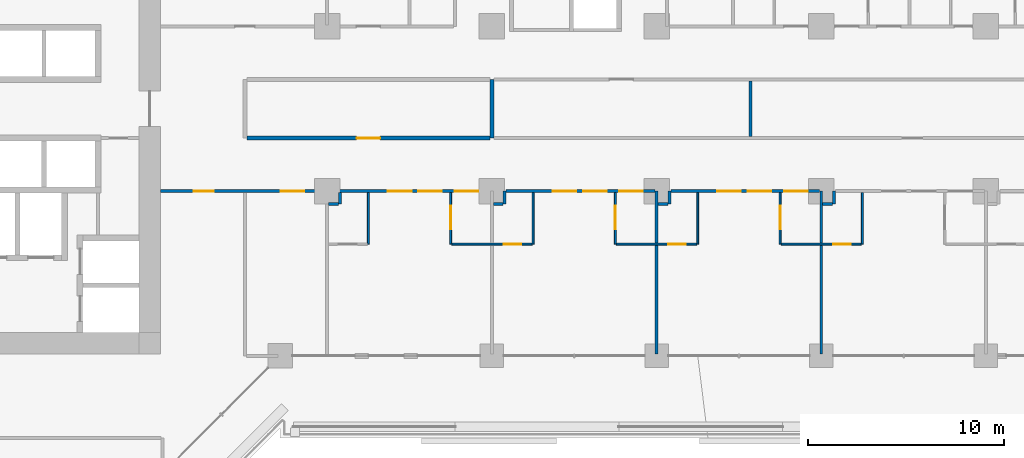
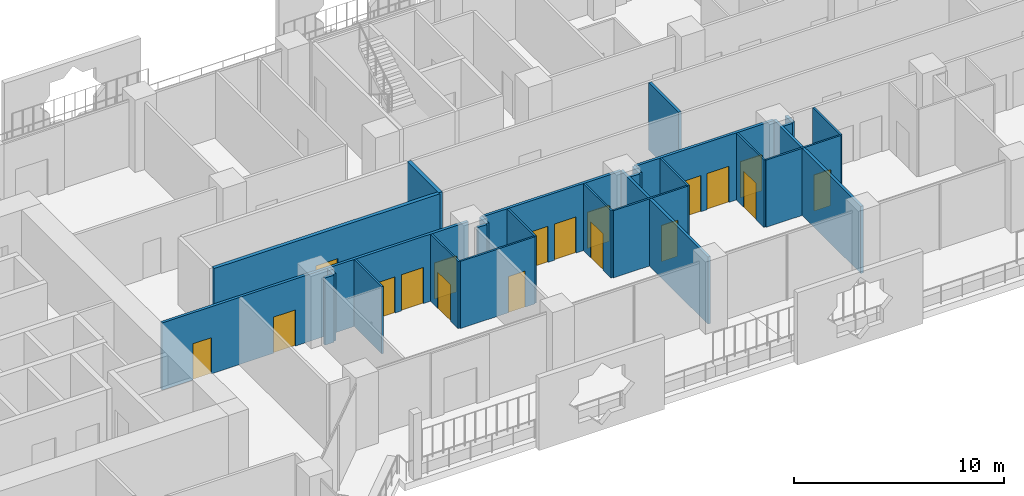
# One storey, part 17 of 29: 26 walls, 18 doors, 18 openings.
"""IFC4 building model written with IfcOpenShell, lengths in metres."""

from ifc_helpers import new_model, si_unit, direction, frame, frame_2d, origin, place, context, subcontext, project, spatial, rectangle, extrude, material, layer, layer_set, type_object, element, fill, save


model = new_model("IFC4")

# Units and contexts
model_context = context("Model", 3, precision=1e-05, world=origin(), true_north=direction((0.0, 1.0)))
body_context = subcontext(model_context, "Body", "Model", "MODEL_VIEW")
ifc_project = project(units=[si_unit("LENGTHUNIT", "METRE"), si_unit("AREAUNIT", "SQUARE_METRE"), si_unit("VOLUMEUNIT", "CUBIC_METRE"), si_unit("PLANEANGLEUNIT", "RADIAN"), si_unit("MASSUNIT", "GRAM", prefix="KILO")], contexts=[model_context])

# Site, building, storey
site_placement = place(None, origin())
site = spatial("IfcSite", under=ifc_project, at=site_placement, CompositionType="ELEMENT")
building_placement = place(site_placement, origin())
building = spatial("IfcBuilding", under=site, at=building_placement, Name="Kawkab Arch Medical Tower", CompositionType="ELEMENT")
storey_placement = place(building_placement, frame((0.0, 0.0, 60.199951171875)))
storey = spatial("IfcBuildingStorey", under=building, at=storey_placement, Name="L13", CompositionType="ELEMENT", Elevation=60.199951171875)

# Wall, opening, door
ifc_material_1 = material(Name="Gypsum board partition on steel studs", Category="steel")
ifc_layer_1 = layer(ifc_material_1, 0.10009765625)
ifc_layer_set_1 = layer_set([ifc_layer_1], Name="Gypsum board partition on steel studs")
wall_type_1 = type_object("IfcWallType", Name="Partition 100", PredefinedType="PARTITIONING", material=ifc_layer_set_1)
wall_1_placement = place(storey_placement, frame((39.949951171875, -19.5, 0.0), z_axis=(0.0, 0.0, 1.0), x_axis=(1.0, 0.0, 0.0)))
wall_1 = element("IfcWall", 1, at=wall_1_placement, inside=storey, type_object=wall_type_1, Name="Partition 100 w013", PredefinedType="PARTITIONING", context=body_context, shape_type="SweptSolid", body=[
    extrude(rectangle(XDim=4.10009765625, YDim=0.10009765625, at=frame_2d((2.050048828125, 0.0))), origin(), (0.0, 0.0, 1.0), 3.900146484375),
])
opening_1_placement = place(wall_1_placement, frame((2.64990234375, 0.0, 0.0)))
opening_1 = element("IfcOpeningElement", 2, at=opening_1_placement, cuts=wall_1, Name="Opening W13A-005", PredefinedType="OPENING", context=body_context, shape_type="SweptSolid", body=[
    extrude(rectangle(XDim=0.89990234375, YDim=2.10009765625, at=frame_2d((0.449951171875, 1.050048828125))), frame((0.0, 0.06005859375, 0.0), z_axis=(0.0, -1.0, 0.0), x_axis=(1.0, 0.0, 0.0)), (0.0, 0.0, 1.0), 0.1201171875),
])
ifc_material_2 = material(Name="Timber door leaf", Category="wood")
door_type_1 = type_object("IfcDoorType", Name="Single door 900x2100", OperationType="NOTDEFINED", PredefinedType="DOOR", material=ifc_material_2)
door_1_placement = place(opening_1_placement, origin())
door_1 = element("IfcDoor", 3, at=door_1_placement, inside=storey, type_object=door_type_1, Name="Door W13A-005", OperationType="SINGLE_SWING_LEFT", OverallHeight=2.10009765625, OverallWidth=0.89990234375, PredefinedType="DOOR", context=body_context, shape_type="SweptSolid", body=[
    extrude(rectangle(XDim=0.89990234375, YDim=2.10009765625, at=frame_2d((0.449951171875, 1.050048828125))), frame((0.0, 0.02490234375, 0.0), z_axis=(0.0, -1.0, 0.0), x_axis=(1.0, 0.0, 0.0)), (0.0, 0.0, 1.0), 0.050048828125),
])
fill(opening_1, door_1)

wall_2_placement = place(storey_placement, frame((48.35009765625, -19.5, 0.0), z_axis=(0.0, 0.0, 1.0), x_axis=(1.0, 0.0, 0.0)))
wall_2 = element("IfcWall", 4, at=wall_2_placement, inside=storey, type_object=wall_type_1, Name="Partition 100 w014", PredefinedType="PARTITIONING", context=body_context, shape_type="SweptSolid", body=[
    extrude(rectangle(XDim=4.099853515625, YDim=0.10009765625, at=frame_2d((2.0498046875, 0.0))), origin(), (0.0, 0.0, 1.0), 3.900146484375),
])
opening_2_placement = place(wall_2_placement, frame((2.64990234375, 0.0, 0.0)))
opening_2 = element("IfcOpeningElement", 5, at=opening_2_placement, cuts=wall_2, Name="Opening W13A-006", PredefinedType="OPENING", context=body_context, shape_type="SweptSolid", body=[
    extrude(rectangle(XDim=0.89990234375, YDim=2.10009765625, at=frame_2d((0.449951171875, 1.050048828125))), frame((0.0, 0.06005859375, 0.0), z_axis=(0.0, -1.0, 0.0), x_axis=(1.0, 0.0, 0.0)), (0.0, 0.0, 1.0), 0.1201171875),
])
door_2_placement = place(opening_2_placement, origin())
door_2 = element("IfcDoor", 6, at=door_2_placement, inside=storey, type_object=door_type_1, Name="Door W13A-006", OperationType="SINGLE_SWING_LEFT", OverallHeight=2.10009765625, OverallWidth=0.89990234375, PredefinedType="DOOR", context=body_context, shape_type="SweptSolid", body=[
    extrude(rectangle(XDim=0.89990234375, YDim=2.10009765625, at=frame_2d((0.449951171875, 1.050048828125))), frame((0.0, 0.02490234375, 0.0), z_axis=(0.0, -1.0, 0.0), x_axis=(1.0, 0.0, 0.0)), (0.0, 0.0, 1.0), 0.050048828125),
])
fill(opening_2, door_2)

wall_3_placement = place(storey_placement, frame((56.75, -19.5, 0.0), z_axis=(0.0, 0.0, 1.0), x_axis=(1.0, 0.0, 0.0)))
wall_3 = element("IfcWall", 7, at=wall_3_placement, inside=storey, type_object=wall_type_1, Name="Partition 100 w015", PredefinedType="PARTITIONING", context=body_context, shape_type="SweptSolid", body=[
    extrude(rectangle(XDim=4.10009765625, YDim=0.10009765625, at=frame_2d((2.050048828125, 0.0))), origin(), (0.0, 0.0, 1.0), 3.900146484375),
])
opening_3_placement = place(wall_3_placement, frame((2.64990234375, 0.0, 0.0)))
opening_3 = element("IfcOpeningElement", 8, at=opening_3_placement, cuts=wall_3, Name="Opening W13A-007", PredefinedType="OPENING", context=body_context, shape_type="SweptSolid", body=[
    extrude(rectangle(XDim=0.89990234375, YDim=2.10009765625, at=frame_2d((0.449951171875, 1.050048828125))), frame((0.0, 0.06005859375, 0.0), z_axis=(0.0, -1.0, 0.0), x_axis=(1.0, 0.0, 0.0)), (0.0, 0.0, 1.0), 0.1201171875),
])
door_3_placement = place(opening_3_placement, origin())
door_3 = element("IfcDoor", 9, at=door_3_placement, inside=storey, type_object=door_type_1, Name="Door W13A-007", OperationType="SINGLE_SWING_LEFT", OverallHeight=2.10009765625, OverallWidth=0.89990234375, PredefinedType="DOOR", context=body_context, shape_type="SweptSolid", body=[
    extrude(rectangle(XDim=0.89990234375, YDim=2.10009765625, at=frame_2d((0.449951171875, 1.050048828125))), frame((0.0, 0.02490234375, 0.0), z_axis=(0.0, -1.0, 0.0), x_axis=(1.0, 0.0, 0.0)), (0.0, 0.0, 1.0), 0.050048828125),
])
fill(opening_3, door_3)

# Wall
wall_4_placement = place(storey_placement, frame((35.699951171875, -19.5, 0.0), z_axis=(0.0, 0.0, 1.0), x_axis=(0.0, 1.0, 0.0)))
element("IfcWall", 10, at=wall_4_placement, inside=storey, type_object=wall_type_1, Name="Partition 100 w029", PredefinedType="PARTITIONING", context=body_context, shape_type="SweptSolid", body=[
    extrude(rectangle(XDim=2.625, YDim=0.10009765625, at=frame_2d((1.3125, 0.0))), origin(), (0.0, 0.0, 1.0), 3.900146484375),
])

# Wall, opening, door
wall_5_placement = place(storey_placement, frame((39.89990234375, -19.5, 0.0), z_axis=(0.0, 0.0, 1.0), x_axis=(0.0, 1.0, 0.0)))
wall_5 = element("IfcWall", 11, at=wall_5_placement, inside=storey, type_object=wall_type_1, Name="Partition 100 w030", PredefinedType="PARTITIONING", context=body_context, shape_type="SweptSolid", body=[
    extrude(rectangle(XDim=2.625, YDim=0.10009765625, at=frame_2d((1.3125, 0.0))), origin(), (0.0, 0.0, 1.0), 3.900146484375),
])
opening_4_placement = place(wall_5_placement, frame((0.75, 0.0, 0.0)))
opening_4 = element("IfcOpeningElement", 12, at=opening_4_placement, cuts=wall_5, Name="Opening W13A-051", PredefinedType="OPENING", context=body_context, shape_type="SweptSolid", body=[
    extrude(rectangle(XDim=1.199951171875, YDim=2.10009765625, at=frame_2d((0.60009765625, 1.050048828125))), frame((0.0, 0.06005859375, 0.0), z_axis=(0.0, -1.0, 0.0), x_axis=(1.0, 0.0, 0.0)), (0.0, 0.0, 1.0), 0.1201171875),
])
ifc_material_3 = material(Name="Timber door leaf", Category="wood")
door_type_2 = type_object("IfcDoorType", Name="Single door 1200x2100", OperationType="NOTDEFINED", PredefinedType="DOOR", material=ifc_material_3)
door_4_placement = place(opening_4_placement, origin())
door_4 = element("IfcDoor", 13, at=door_4_placement, inside=storey, type_object=door_type_2, Name="Door W13A-051", OperationType="SINGLE_SWING_RIGHT", OverallHeight=2.10009765625, OverallWidth=1.199951171875, PredefinedType="DOOR", context=body_context, shape_type="SweptSolid", body=[
    extrude(rectangle(XDim=1.199951171875, YDim=2.10009765625, at=frame_2d((0.60009765625, 1.050048828125))), frame((0.0, 0.02490234375, 0.0), z_axis=(0.0, -1.0, 0.0), x_axis=(1.0, 0.0, 0.0)), (0.0, 0.0, 1.0), 0.050048828125),
])
fill(opening_4, door_4)

# Wall
wall_6_placement = place(storey_placement, frame((44.10009765625, -19.5, 0.0), z_axis=(0.0, 0.0, 1.0), x_axis=(0.0, 1.0, 0.0)))
element("IfcWall", 14, at=wall_6_placement, inside=storey, type_object=wall_type_1, Name="Partition 100 w031", PredefinedType="PARTITIONING", context=body_context, shape_type="SweptSolid", body=[
    extrude(rectangle(XDim=2.625, YDim=0.10009765625, at=frame_2d((1.3125, 0.0))), origin(), (0.0, 0.0, 1.0), 3.900146484375),
])

# Wall, opening, door
wall_7_placement = place(storey_placement, frame((48.300048828125, -19.5, 0.0), z_axis=(0.0, 0.0, 1.0), x_axis=(0.0, 1.0, 0.0)))
wall_7 = element("IfcWall", 15, at=wall_7_placement, inside=storey, type_object=wall_type_1, Name="Partition 100 w032", PredefinedType="PARTITIONING", context=body_context, shape_type="SweptSolid", body=[
    extrude(rectangle(XDim=2.625, YDim=0.10009765625, at=frame_2d((1.3125, 0.0))), origin(), (0.0, 0.0, 1.0), 3.900146484375),
])
opening_5_placement = place(wall_7_placement, frame((0.75, 0.0, 0.0)))
opening_5 = element("IfcOpeningElement", 16, at=opening_5_placement, cuts=wall_7, Name="Opening W13A-055", PredefinedType="OPENING", context=body_context, shape_type="SweptSolid", body=[
    extrude(rectangle(XDim=1.199951171875, YDim=2.10009765625, at=frame_2d((0.60009765625, 1.050048828125))), frame((0.0, 0.06005859375, 0.0), z_axis=(0.0, -1.0, 0.0), x_axis=(1.0, 0.0, 0.0)), (0.0, 0.0, 1.0), 0.1201171875),
])
door_5_placement = place(opening_5_placement, origin())
door_5 = element("IfcDoor", 17, at=door_5_placement, inside=storey, type_object=door_type_2, Name="Door W13A-055", OperationType="SINGLE_SWING_LEFT", OverallHeight=2.10009765625, OverallWidth=1.199951171875, PredefinedType="DOOR", context=body_context, shape_type="SweptSolid", body=[
    extrude(rectangle(XDim=1.199951171875, YDim=2.10009765625, at=frame_2d((0.60009765625, 1.050048828125))), frame((0.0, 0.02490234375, 0.0), z_axis=(0.0, -1.0, 0.0), x_axis=(1.0, 0.0, 0.0)), (0.0, 0.0, 1.0), 0.050048828125),
])
fill(opening_5, door_5)

# Wall
wall_8_placement = place(storey_placement, frame((52.5, -19.5, 0.0), z_axis=(0.0, 0.0, 1.0), x_axis=(0.0, 1.0, 0.0)))
element("IfcWall", 18, at=wall_8_placement, inside=storey, type_object=wall_type_1, Name="Partition 100 w033", PredefinedType="PARTITIONING", context=body_context, shape_type="SweptSolid", body=[
    extrude(rectangle(XDim=2.625, YDim=0.10009765625, at=frame_2d((1.3125, 0.0))), origin(), (0.0, 0.0, 1.0), 3.900146484375),
])

# Wall, opening, door
wall_9_placement = place(storey_placement, frame((56.699951171875, -19.5, 0.0), z_axis=(0.0, 0.0, 1.0), x_axis=(0.0, 1.0, 0.0)))
wall_9 = element("IfcWall", 19, at=wall_9_placement, inside=storey, type_object=wall_type_1, Name="Partition 100 w035", PredefinedType="PARTITIONING", context=body_context, shape_type="SweptSolid", body=[
    extrude(rectangle(XDim=2.625, YDim=0.10009765625, at=frame_2d((1.3125, 0.0))), origin(), (0.0, 0.0, 1.0), 3.900146484375),
])
opening_6_placement = place(wall_9_placement, frame((0.75, 0.0, 0.0)))
opening_6 = element("IfcOpeningElement", 20, at=opening_6_placement, cuts=wall_9, Name="Opening W13A-059", PredefinedType="OPENING", context=body_context, shape_type="SweptSolid", body=[
    extrude(rectangle(XDim=1.199951171875, YDim=2.10009765625, at=frame_2d((0.60009765625, 1.050048828125))), frame((0.0, 0.06005859375, 0.0), z_axis=(0.0, -1.0, 0.0), x_axis=(1.0, 0.0, 0.0)), (0.0, 0.0, 1.0), 0.1201171875),
])
door_6_placement = place(opening_6_placement, origin())
door_6 = element("IfcDoor", 21, at=door_6_placement, inside=storey, type_object=door_type_2, Name="Door W13A-059", OperationType="SINGLE_SWING_RIGHT", OverallHeight=2.10009765625, OverallWidth=1.199951171875, PredefinedType="DOOR", context=body_context, shape_type="SweptSolid", body=[
    extrude(rectangle(XDim=1.199951171875, YDim=2.10009765625, at=frame_2d((0.60009765625, 1.050048828125))), frame((0.0, 0.02490234375, 0.0), z_axis=(0.0, -1.0, 0.0), x_axis=(1.0, 0.0, 0.0)), (0.0, 0.0, 1.0), 0.050048828125),
])
fill(opening_6, door_6)

# Walls
wall_10_placement = place(storey_placement, frame((60.89990234375, -19.5, 0.0), z_axis=(0.0, 0.0, 1.0), x_axis=(0.0, 1.0, 0.0)))
element("IfcWall", 22, at=wall_10_placement, inside=storey, type_object=wall_type_1, Name="Partition 100 w036", PredefinedType="PARTITIONING", context=body_context, shape_type="SweptSolid", body=[
    extrude(rectangle(XDim=2.625, YDim=0.10009765625, at=frame_2d((1.3125, 0.0))), origin(), (0.0, 0.0, 1.0), 3.900146484375),
])
ifc_material_4 = material(Name="Gypsum board partition on steel studs, mineral wool", Category="steel")
ifc_layer_2 = layer(ifc_material_4, 0.14990234375)
ifc_layer_set_2 = layer_set([ifc_layer_2], Name="Gypsum board partition on steel studs, mineral wool")
wall_type_2 = type_object("IfcWallType", Name="Partition 150", PredefinedType="PARTITIONING", material=ifc_layer_set_2)
wall_11_placement = place(storey_placement, frame((33.677001953125, -17.449951171875, 0.0), z_axis=(0.0, 0.0, 1.0), x_axis=(1.0, 0.0, 0.0)))
element("IfcWall", 23, at=wall_11_placement, inside=storey, type_object=wall_type_2, Name="Partition 150 w067", PredefinedType="PARTITIONING", context=body_context, shape_type="SweptSolid", body=[
    extrude(rectangle(XDim=0.498046875, YDim=0.14990234375, at=frame_2d((0.2490234375, 0.0))), origin(), (0.0, 0.0, 1.0), 3.900146484375),
])
for number, where, z_axis, x_axis, name in (
    (24, (42.074951171875, -17.449951171875, 0.0), (0.0, 0.0, 1.0), (1.0, 0.0, 0.0), "Partition 150 w068"),
    (25, (50.47509765625, -17.449951171875, 0.0), (0.0, 0.0, 1.0), (1.0, 0.0, 0.0), "Partition 150 w069"),
    (26, (58.875, -17.449951171875, 0.0), (0.0, 0.0, 1.0), (1.0, 0.0, 0.0), "Partition 150 w070"),
):
    element("IfcWall", number, at=place(storey_placement, frame(where, z_axis=z_axis, x_axis=x_axis)), inside=storey, type_object=wall_type_2, Name=name, PredefinedType="PARTITIONING", context=body_context, shape_type="SweptSolid", body=[
        extrude(rectangle(XDim=0.5, YDim=0.14990234375, at=frame_2d((0.25, 0.0))), origin(), (0.0, 0.0, 1.0), 3.900146484375),
    ])

# Wall, openings, doors
wall_12_placement = place(storey_placement, frame((25.10009765625, -16.800048828125, 0.0), z_axis=(0.0, 0.0, 1.0), x_axis=(1.0, 0.0, 0.0)))
wall_12 = element("IfcWall", 27, at=wall_12_placement, inside=storey, type_object=wall_type_2, Name="Partition 150 w072", PredefinedType="PARTITIONING", context=body_context, shape_type="SweptSolid", body=[
    extrude(rectangle(XDim=16.822998046875, YDim=0.14990234375, at=frame_2d((8.41162109375, 0.0))), origin(), (0.0, 0.0, 1.0), 3.900146484375),
])
opening_7_placement = place(wall_12_placement, frame((1.699951171875, 0.0, 0.0)))
opening_7 = element("IfcOpeningElement", 28, at=opening_7_placement, cuts=wall_12, Name="Opening W13A-023", PredefinedType="OPENING", context=body_context, shape_type="SweptSolid", body=[
    extrude(rectangle(XDim=1.0, YDim=2.10009765625, at=frame_2d((0.5, 1.050048828125))), frame((0.0, 0.0849609375, 0.0), z_axis=(0.0, -1.0, 0.0), x_axis=(1.0, 0.0, 0.0)), (0.0, 0.0, 1.0), 0.169921875),
])
opening_8_placement = place(wall_12_placement, frame((6.125, 0.0, 0.0)))
opening_8 = element("IfcOpeningElement", 29, at=opening_8_placement, cuts=wall_12, Name="Opening W13A-047", PredefinedType="OPENING", context=body_context, shape_type="SweptSolid", body=[
    extrude(rectangle(XDim=1.199951171875, YDim=2.10009765625, at=frame_2d((0.60009765625, 1.050048828125))), frame((0.0, 0.0849609375, 0.0), z_axis=(0.0, -1.0, 0.0), x_axis=(1.0, 0.0, 0.0)), (0.0, 0.0, 1.0), 0.169921875),
])
opening_9_placement = place(wall_12_placement, frame((13.14990234375, 0.0, 0.0)))
opening_9 = element("IfcOpeningElement", 30, at=opening_9_placement, cuts=wall_12, Name="Opening W13A-048", PredefinedType="OPENING", context=body_context, shape_type="SweptSolid", body=[
    extrude(rectangle(XDim=1.199951171875, YDim=2.10009765625, at=frame_2d((0.60009765625, 1.050048828125))), frame((0.0, 0.0849609375, 0.0), z_axis=(0.0, -1.0, 0.0), x_axis=(1.0, 0.0, 0.0)), (0.0, 0.0, 1.0), 0.169921875),
])
opening_10_placement = place(wall_12_placement, frame((11.60009765625, 0.0, 0.0)))
opening_10 = element("IfcOpeningElement", 31, at=opening_10_placement, cuts=wall_12, Name="Opening W13A-049", PredefinedType="OPENING", context=body_context, shape_type="SweptSolid", body=[
    extrude(rectangle(XDim=1.199951171875, YDim=2.10009765625, at=frame_2d((0.60009765625, 1.050048828125))), frame((0.0, 0.0849609375, 0.0), z_axis=(0.0, -1.0, 0.0), x_axis=(1.0, 0.0, 0.0)), (0.0, 0.0, 1.0), 0.169921875),
])
opening_11_placement = place(wall_12_placement, frame((15.0, 0.0, 0.0)))
opening_11 = element("IfcOpeningElement", 32, at=opening_11_placement, cuts=wall_12, Name="Opening W13A-050", PredefinedType="OPENING", context=body_context, shape_type="SweptSolid", body=[
    extrude(rectangle(XDim=1.199951171875, YDim=2.10009765625, at=frame_2d((0.60009765625, 1.050048828125))), frame((0.0, 0.0849609375, 0.0), z_axis=(0.0, -1.0, 0.0), x_axis=(1.0, 0.0, 0.0)), (0.0, 0.0, 1.0), 0.169921875),
])
ifc_material_5 = material(Name="Hollow metal door leaf")
door_type_3 = type_object("IfcDoorType", Name="Single door 1000x2100 FD30S", OperationType="NOTDEFINED", PredefinedType="DOOR", material=ifc_material_5)
door_7_placement = place(opening_7_placement, origin())
door_7 = element("IfcDoor", 33, at=door_7_placement, inside=storey, type_object=door_type_3, Name="Door W13A-023", OperationType="SINGLE_SWING_RIGHT", OverallHeight=2.10009765625, OverallWidth=1.0, PredefinedType="DOOR", context=body_context, shape_type="SweptSolid", body=[
    extrude(rectangle(XDim=1.0, YDim=2.10009765625, at=frame_2d((0.5, 1.050048828125))), frame((0.0, 0.02490234375, 0.0), z_axis=(0.0, -1.0, 0.0), x_axis=(1.0, 0.0, 0.0)), (0.0, 0.0, 1.0), 0.050048828125),
])
fill(opening_7, door_7)
ifc_material_6 = material(Name="Hollow metal door leaf")
door_type_4 = type_object("IfcDoorType", Name="Single door 1200x2100 FD30S", OperationType="NOTDEFINED", PredefinedType="DOOR", material=ifc_material_6)
door_8_placement = place(opening_8_placement, origin())
door_8 = element("IfcDoor", 34, at=door_8_placement, inside=storey, type_object=door_type_4, Name="Door W13A-047", OperationType="SINGLE_SWING_RIGHT", OverallHeight=2.10009765625, OverallWidth=1.199951171875, PredefinedType="DOOR", context=body_context, shape_type="SweptSolid", body=[
    extrude(rectangle(XDim=1.199951171875, YDim=2.10009765625, at=frame_2d((0.60009765625, 1.050048828125))), frame((0.0, 0.02490234375, 0.0), z_axis=(0.0, -1.0, 0.0), x_axis=(1.0, 0.0, 0.0)), (0.0, 0.0, 1.0), 0.050048828125),
])
fill(opening_8, door_8)
door_9_placement = place(opening_9_placement, origin())
door_9 = element("IfcDoor", 35, at=door_9_placement, inside=storey, type_object=door_type_4, Name="Door W13A-048", OperationType="SINGLE_SWING_LEFT", OverallHeight=2.10009765625, OverallWidth=1.199951171875, PredefinedType="DOOR", context=body_context, shape_type="SweptSolid", body=[
    extrude(rectangle(XDim=1.199951171875, YDim=2.10009765625, at=frame_2d((0.60009765625, 1.050048828125))), frame((0.0, 0.02490234375, 0.0), z_axis=(0.0, -1.0, 0.0), x_axis=(1.0, 0.0, 0.0)), (0.0, 0.0, 1.0), 0.050048828125),
])
fill(opening_9, door_9)
door_10_placement = place(opening_10_placement, origin())
door_10 = element("IfcDoor", 36, at=door_10_placement, inside=storey, type_object=door_type_4, Name="Door W13A-049", OperationType="SINGLE_SWING_LEFT", OverallHeight=2.10009765625, OverallWidth=1.199951171875, PredefinedType="DOOR", context=body_context, shape_type="SweptSolid", body=[
    extrude(rectangle(XDim=1.199951171875, YDim=2.10009765625, at=frame_2d((0.60009765625, 1.050048828125))), frame((0.0, 0.02490234375, 0.0), z_axis=(0.0, -1.0, 0.0), x_axis=(1.0, 0.0, 0.0)), (0.0, 0.0, 1.0), 0.050048828125),
])
fill(opening_10, door_10)
door_11_placement = place(opening_11_placement, origin())
door_11 = element("IfcDoor", 37, at=door_11_placement, inside=storey, type_object=door_type_4, Name="Door W13A-050", OperationType="SINGLE_SWING_LEFT", OverallHeight=2.10009765625, OverallWidth=1.199951171875, PredefinedType="DOOR", context=body_context, shape_type="SweptSolid", body=[
    extrude(rectangle(XDim=1.199951171875, YDim=2.10009765625, at=frame_2d((0.60009765625, 1.050048828125))), frame((0.0, 0.02490234375, 0.0), z_axis=(0.0, -1.0, 0.0), x_axis=(1.0, 0.0, 0.0)), (0.0, 0.0, 1.0), 0.050048828125),
])
fill(opening_11, door_11)

wall_13_placement = place(storey_placement, frame((42.72705078125, -16.800048828125, 0.0), z_axis=(0.0, 0.0, 1.0), x_axis=(1.0, 0.0, 0.0)))
wall_13 = element("IfcWall", 38, at=wall_13_placement, inside=storey, type_object=wall_type_2, Name="Partition 150 w073", PredefinedType="PARTITIONING", context=body_context, shape_type="SweptSolid", body=[
    extrude(rectangle(XDim=7.594970703125, YDim=0.14990234375, at=frame_2d((3.79736328125, 0.0))), origin(), (0.0, 0.0, 1.0), 3.900146484375),
])
opening_12_placement = place(wall_13_placement, frame((3.923095703125, 0.0, 0.0)))
opening_12 = element("IfcOpeningElement", 39, at=opening_12_placement, cuts=wall_13, Name="Opening W13A-052", PredefinedType="OPENING", context=body_context, shape_type="SweptSolid", body=[
    extrude(rectangle(XDim=1.199951171875, YDim=2.10009765625, at=frame_2d((0.60009765625, 1.050048828125))), frame((0.0, 0.0849609375, 0.0), z_axis=(0.0, -1.0, 0.0), x_axis=(1.0, 0.0, 0.0)), (0.0, 0.0, 1.0), 0.169921875),
])
opening_13_placement = place(wall_13_placement, frame((2.373046875, 0.0, 0.0)))
opening_13 = element("IfcOpeningElement", 40, at=opening_13_placement, cuts=wall_13, Name="Opening W13A-053", PredefinedType="OPENING", context=body_context, shape_type="SweptSolid", body=[
    extrude(rectangle(XDim=1.199951171875, YDim=2.10009765625, at=frame_2d((0.60009765625, 1.050048828125))), frame((0.0, 0.0849609375, 0.0), z_axis=(0.0, -1.0, 0.0), x_axis=(1.0, 0.0, 0.0)), (0.0, 0.0, 1.0), 0.169921875),
])
opening_14_placement = place(wall_13_placement, frame((5.77294921875, 0.0, 0.0)))
opening_14 = element("IfcOpeningElement", 41, at=opening_14_placement, cuts=wall_13, Name="Opening W13A-054", PredefinedType="OPENING", context=body_context, shape_type="SweptSolid", body=[
    extrude(rectangle(XDim=1.199951171875, YDim=2.10009765625, at=frame_2d((0.60009765625, 1.050048828125))), frame((0.0, 0.0849609375, 0.0), z_axis=(0.0, -1.0, 0.0), x_axis=(1.0, 0.0, 0.0)), (0.0, 0.0, 1.0), 0.169921875),
])
door_12_placement = place(opening_12_placement, origin())
door_12 = element("IfcDoor", 42, at=door_12_placement, inside=storey, type_object=door_type_4, Name="Door W13A-052", OperationType="SINGLE_SWING_LEFT", OverallHeight=2.10009765625, OverallWidth=1.199951171875, PredefinedType="DOOR", context=body_context, shape_type="SweptSolid", body=[
    extrude(rectangle(XDim=1.199951171875, YDim=2.10009765625, at=frame_2d((0.60009765625, 1.050048828125))), frame((0.0, 0.02490234375, 0.0), z_axis=(0.0, -1.0, 0.0), x_axis=(1.0, 0.0, 0.0)), (0.0, 0.0, 1.0), 0.050048828125),
])
fill(opening_12, door_12)
door_13_placement = place(opening_13_placement, origin())
door_13 = element("IfcDoor", 43, at=door_13_placement, inside=storey, type_object=door_type_4, Name="Door W13A-053", OperationType="SINGLE_SWING_RIGHT", OverallHeight=2.10009765625, OverallWidth=1.199951171875, PredefinedType="DOOR", context=body_context, shape_type="SweptSolid", body=[
    extrude(rectangle(XDim=1.199951171875, YDim=2.10009765625, at=frame_2d((0.60009765625, 1.050048828125))), frame((0.0, 0.02490234375, 0.0), z_axis=(0.0, -1.0, 0.0), x_axis=(1.0, 0.0, 0.0)), (0.0, 0.0, 1.0), 0.050048828125),
])
fill(opening_13, door_13)
door_14_placement = place(opening_14_placement, origin())
door_14 = element("IfcDoor", 44, at=door_14_placement, inside=storey, type_object=door_type_4, Name="Door W13A-054", OperationType="SINGLE_SWING_LEFT", OverallHeight=2.10009765625, OverallWidth=1.199951171875, PredefinedType="DOOR", context=body_context, shape_type="SweptSolid", body=[
    extrude(rectangle(XDim=1.199951171875, YDim=2.10009765625, at=frame_2d((0.60009765625, 1.050048828125))), frame((0.0, 0.02490234375, 0.0), z_axis=(0.0, -1.0, 0.0), x_axis=(1.0, 0.0, 0.0)), (0.0, 0.0, 1.0), 0.050048828125),
])
fill(opening_14, door_14)

wall_14_placement = place(storey_placement, frame((51.1279296875, -16.800048828125, 0.0), z_axis=(0.0, 0.0, 1.0), x_axis=(1.0, 0.0, 0.0)))
wall_14 = element("IfcWall", 45, at=wall_14_placement, inside=storey, type_object=wall_type_2, Name="Partition 150 w074", PredefinedType="PARTITIONING", context=body_context, shape_type="SweptSolid", body=[
    extrude(rectangle(XDim=7.593994140625, YDim=0.14990234375, at=frame_2d((3.796875, 0.0))), origin(), (0.0, 0.0, 1.0), 3.900146484375),
])
opening_15_placement = place(wall_14_placement, frame((3.922119140625, 0.0, 0.0)))
opening_15 = element("IfcOpeningElement", 46, at=opening_15_placement, cuts=wall_14, Name="Opening W13A-056", PredefinedType="OPENING", context=body_context, shape_type="SweptSolid", body=[
    extrude(rectangle(XDim=1.199951171875, YDim=2.10009765625, at=frame_2d((0.60009765625, 1.050048828125))), frame((0.0, 0.0849609375, 0.0), z_axis=(0.0, -1.0, 0.0), x_axis=(1.0, 0.0, 0.0)), (0.0, 0.0, 1.0), 0.169921875),
])
opening_16_placement = place(wall_14_placement, frame((2.3720703125, 0.0, 0.0)))
opening_16 = element("IfcOpeningElement", 47, at=opening_16_placement, cuts=wall_14, Name="Opening W13A-057", PredefinedType="OPENING", context=body_context, shape_type="SweptSolid", body=[
    extrude(rectangle(XDim=1.199951171875, YDim=2.10009765625, at=frame_2d((0.60009765625, 1.050048828125))), frame((0.0, 0.0849609375, 0.0), z_axis=(0.0, -1.0, 0.0), x_axis=(1.0, 0.0, 0.0)), (0.0, 0.0, 1.0), 0.169921875),
])
opening_17_placement = place(wall_14_placement, frame((5.77197265625, 0.0, 0.0)))
opening_17 = element("IfcOpeningElement", 48, at=opening_17_placement, cuts=wall_14, Name="Opening W13A-058", PredefinedType="OPENING", context=body_context, shape_type="SweptSolid", body=[
    extrude(rectangle(XDim=1.199951171875, YDim=2.10009765625, at=frame_2d((0.60009765625, 1.050048828125))), frame((0.0, 0.0849609375, 0.0), z_axis=(0.0, -1.0, 0.0), x_axis=(1.0, 0.0, 0.0)), (0.0, 0.0, 1.0), 0.169921875),
])
door_15_placement = place(opening_15_placement, origin())
door_15 = element("IfcDoor", 49, at=door_15_placement, inside=storey, type_object=door_type_4, Name="Door W13A-056", OperationType="SINGLE_SWING_LEFT", OverallHeight=2.10009765625, OverallWidth=1.199951171875, PredefinedType="DOOR", context=body_context, shape_type="SweptSolid", body=[
    extrude(rectangle(XDim=1.199951171875, YDim=2.10009765625, at=frame_2d((0.60009765625, 1.050048828125))), frame((0.0, 0.02490234375, 0.0), z_axis=(0.0, -1.0, 0.0), x_axis=(1.0, 0.0, 0.0)), (0.0, 0.0, 1.0), 0.050048828125),
])
fill(opening_15, door_15)
door_16_placement = place(opening_16_placement, origin())
door_16 = element("IfcDoor", 50, at=door_16_placement, inside=storey, type_object=door_type_4, Name="Door W13A-057", OperationType="SINGLE_SWING_RIGHT", OverallHeight=2.10009765625, OverallWidth=1.199951171875, PredefinedType="DOOR", context=body_context, shape_type="SweptSolid", body=[
    extrude(rectangle(XDim=1.199951171875, YDim=2.10009765625, at=frame_2d((0.60009765625, 1.050048828125))), frame((0.0, 0.02490234375, 0.0), z_axis=(0.0, -1.0, 0.0), x_axis=(1.0, 0.0, 0.0)), (0.0, 0.0, 1.0), 0.050048828125),
])
fill(opening_16, door_16)
door_17_placement = place(opening_17_placement, origin())
door_17 = element("IfcDoor", 51, at=door_17_placement, inside=storey, type_object=door_type_4, Name="Door W13A-058", OperationType="SINGLE_SWING_LEFT", OverallHeight=2.10009765625, OverallWidth=1.199951171875, PredefinedType="DOOR", context=body_context, shape_type="SweptSolid", body=[
    extrude(rectangle(XDim=1.199951171875, YDim=2.10009765625, at=frame_2d((0.60009765625, 1.050048828125))), frame((0.0, 0.02490234375, 0.0), z_axis=(0.0, -1.0, 0.0), x_axis=(1.0, 0.0, 0.0)), (0.0, 0.0, 1.0), 0.050048828125),
])
fill(opening_17, door_17)

# Walls
wall_15_placement = place(storey_placement, frame((34.25, -17.449951171875, 0.0), z_axis=(0.0, 0.0, 1.0), x_axis=(0.0, 1.0, 0.0)))
element("IfcWall", 52, at=wall_15_placement, inside=storey, type_object=wall_type_2, Name="Partition 150 w099", PredefinedType="PARTITIONING", context=body_context, shape_type="SweptSolid", body=[
    extrude(rectangle(XDim=0.574951171875, YDim=0.14990234375, at=frame_2d((0.28759765625, 0.0))), origin(), (0.0, 0.0, 1.0), 3.900146484375),
])
wall_16_placement = place(storey_placement, frame((42.64990234375, -17.449951171875, 0.0), z_axis=(0.0, 0.0, 1.0), x_axis=(0.0, 1.0, 0.0)))
element("IfcWall", 53, at=wall_16_placement, inside=storey, type_object=wall_type_2, Name="Partition 150 w104", PredefinedType="PARTITIONING", context=body_context, shape_type="SweptSolid", body=[
    extrude(rectangle(XDim=0.64794921875, YDim=0.14990234375, at=frame_2d((0.323974609375, 0.0))), origin(), (0.0, 0.0, 1.0), 3.900146484375),
])
wall_17_placement = place(storey_placement, frame((50.39990234375, -25.1201171875, 0.0), z_axis=(0.0, 0.0, 1.0), x_axis=(0.0, 1.0, 0.0)))
element("IfcWall", 54, at=wall_17_placement, inside=storey, type_object=wall_type_2, Name="Partition 150 w106", PredefinedType="PARTITIONING", context=body_context, shape_type="SweptSolid", body=[
    extrude(rectangle(XDim=8.317138671875, YDim=0.14990234375, at=frame_2d((4.15869140625, 0.0))), origin(), (0.0, 0.0, 1.0), 3.900146484375),
])
wall_18_placement = place(storey_placement, frame((51.050048828125, -17.449951171875, 0.0), z_axis=(0.0, 0.0, 1.0), x_axis=(0.0, 1.0, 0.0)))
element("IfcWall", 55, at=wall_18_placement, inside=storey, type_object=wall_type_2, Name="Partition 150 w108", PredefinedType="PARTITIONING", context=body_context, shape_type="SweptSolid", body=[
    extrude(rectangle(XDim=0.64697265625, YDim=0.14990234375, at=frame_2d((0.323486328125, 0.0))), origin(), (0.0, 0.0, 1.0), 3.900146484375),
])
wall_19_placement = place(storey_placement, frame((55.199951171875, -14.02490234375, 0.0), z_axis=(0.0, 0.0, 1.0), x_axis=(0.0, 1.0, 0.0)))
element("IfcWall", 56, at=wall_19_placement, inside=storey, type_object=wall_type_2, Name="Partition 150 w110", PredefinedType="PARTITIONING", context=body_context, shape_type="SweptSolid", body=[
    extrude(rectangle(XDim=2.849853515625, YDim=0.14990234375, at=frame_2d((1.4248046875, 0.0))), origin(), (0.0, 0.0, 1.0), 3.900146484375),
])
wall_20_placement = place(storey_placement, frame((58.800048828125, -25.1201171875, 0.0), z_axis=(0.0, 0.0, 1.0), x_axis=(0.0, 1.0, 0.0)))
element("IfcWall", 57, at=wall_20_placement, inside=storey, type_object=wall_type_2, Name="Partition 150 w111", PredefinedType="PARTITIONING", context=body_context, shape_type="SweptSolid", body=[
    extrude(rectangle(XDim=8.317138671875, YDim=0.14990234375, at=frame_2d((4.15869140625, 0.0))), origin(), (0.0, 0.0, 1.0), 3.900146484375),
])
wall_21_placement = place(storey_placement, frame((59.449951171875, -17.449951171875, 0.0), z_axis=(0.0, 0.0, 1.0), x_axis=(0.0, 1.0, 0.0)))
element("IfcWall", 58, at=wall_21_placement, inside=storey, type_object=wall_type_2, Name="Partition 150 w112", PredefinedType="PARTITIONING", context=body_context, shape_type="SweptSolid", body=[
    extrude(rectangle(XDim=0.64697265625, YDim=0.14990234375, at=frame_2d((0.323486328125, 0.0))), origin(), (0.0, 0.0, 1.0), 3.900146484375),
])

# Wall, opening, door
ifc_material_7 = material(Name="Fire-rated gypsum board partition on steel studs", Category="steel")
ifc_layer_3 = layer(ifc_material_7, 0.199951171875)
ifc_layer_set_3 = layer_set([ifc_layer_3], Name="Fire-rated gypsum board partition on steel studs")
wall_type_3 = type_object("IfcWallType", Name="Protected partition 200", PredefinedType="PARTITIONING", material=ifc_layer_set_3)
wall_22_placement = place(storey_placement, frame((29.5, -14.10009765625, 0.0), z_axis=(0.0, 0.0, 1.0), x_axis=(1.0, 0.0, 0.0)))
wall_22 = element("IfcWall", 59, at=wall_22_placement, inside=storey, type_object=wall_type_3, Name="Protected partition 200 w122", PredefinedType="PARTITIONING", context=body_context, shape_type="SweptSolid", body=[
    extrude(rectangle(XDim=12.39990234375, YDim=0.199951171875, at=frame_2d((6.199951171875, 0.0))), origin(), (0.0, 0.0, 1.0), 3.900146484375),
])
opening_18_placement = place(wall_22_placement, frame((5.60009765625, 0.0, 0.0)))
opening_18 = element("IfcOpeningElement", 60, at=opening_18_placement, cuts=wall_22, Name="Opening W13A-086", PredefinedType="OPENING", context=body_context, shape_type="SweptSolid", body=[
    extrude(rectangle(XDim=1.199951171875, YDim=2.10009765625, at=frame_2d((0.60009765625, 1.050048828125))), frame((0.0, 0.10986328125, 0.0), z_axis=(0.0, -1.0, 0.0), x_axis=(1.0, 0.0, 0.0)), (0.0, 0.0, 1.0), 0.219970703125),
])
ifc_material_8 = material(Name="Hollow metal door leaf")
door_type_5 = type_object("IfcDoorType", Name="Single door 1200x2100 FD60", OperationType="NOTDEFINED", PredefinedType="DOOR", material=ifc_material_8)
door_18_placement = place(opening_18_placement, origin())
door_18 = element("IfcDoor", 61, at=door_18_placement, inside=storey, type_object=door_type_5, Name="Door W13A-086", OperationType="SINGLE_SWING_RIGHT", OverallHeight=2.10009765625, OverallWidth=1.199951171875, PredefinedType="DOOR", context=body_context, shape_type="SweptSolid", body=[
    extrude(rectangle(XDim=1.199951171875, YDim=2.10009765625, at=frame_2d((0.60009765625, 1.050048828125))), frame((0.0, 0.02490234375, 0.0), z_axis=(0.0, -1.0, 0.0), x_axis=(1.0, 0.0, 0.0)), (0.0, 0.0, 1.0), 0.050048828125),
])
fill(opening_18, door_18)

# Wall
wall_23_placement = place(storey_placement, frame((42.0, -14.10009765625, 0.0), z_axis=(0.0, 0.0, 1.0), x_axis=(0.0, 1.0, 0.0)))
element("IfcWall", 62, at=wall_23_placement, inside=storey, type_object=wall_type_3, Name="Protected partition 200 w127", PredefinedType="PARTITIONING", context=body_context, shape_type="SweptSolid", body=[
    extrude(rectangle(XDim=3.0, YDim=0.199951171875, at=frame_2d((1.5, 0.0))), origin(), (0.0, 0.0, 1.0), 3.900146484375),
])

save(model, "model.ifc")
